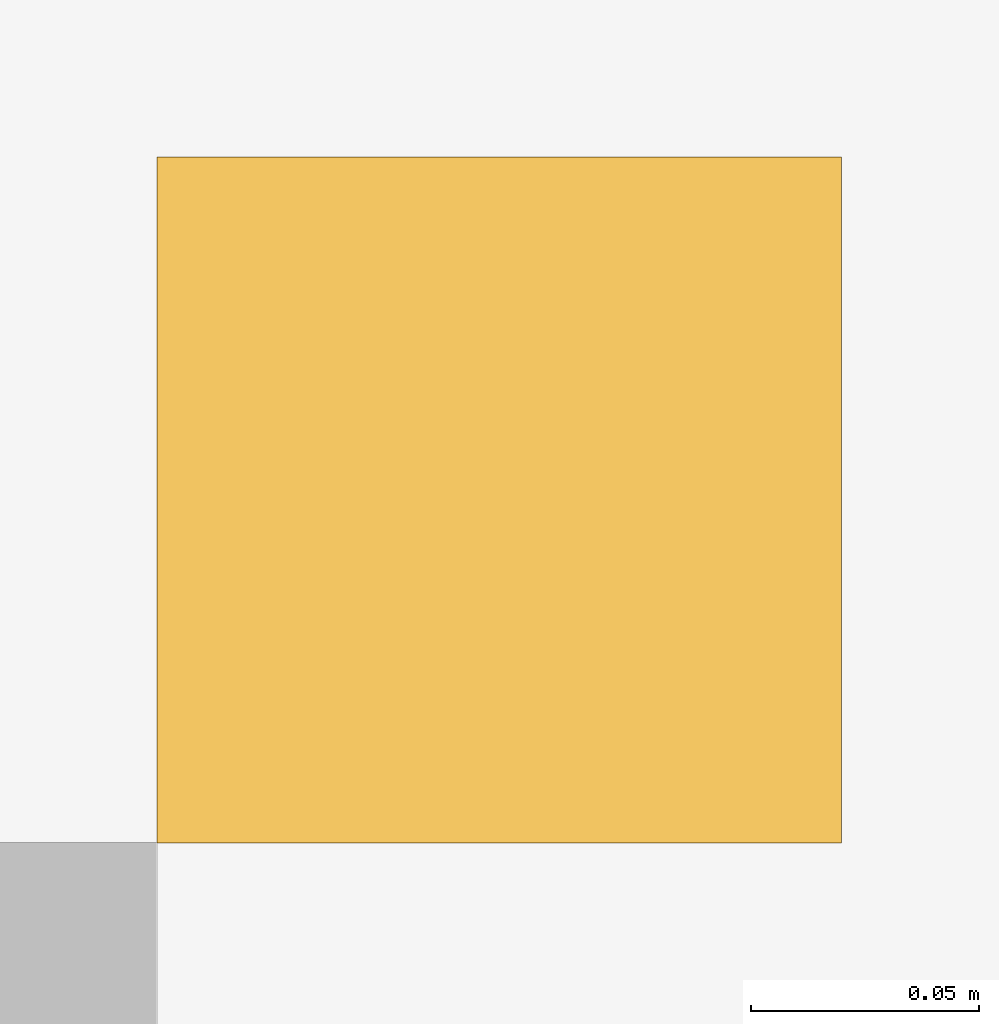
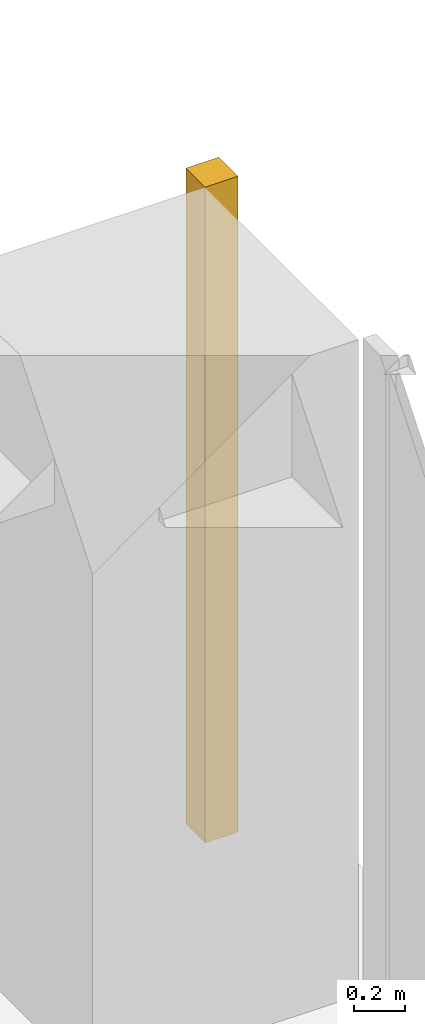
# One storey, part 18 of 18: 1 covering.
"""IFC4 building model written with IfcOpenShell, lengths in metres."""

from ifc_helpers import new_model, si_unit, direction, frame, origin, place, context, subcontext, project, spatial, polyline, outline, extrude, material, type_object, element, save


model = new_model("IFC4")

# Units and contexts
model_context = context("Model", 3, precision=1e-05, world=origin(), true_north=direction((0.0, 1.0)))
body_context = subcontext(model_context, "Body", "Model", "MODEL_VIEW")
ifc_project = project(units=[si_unit("LENGTHUNIT", "METRE"), si_unit("AREAUNIT", "SQUARE_METRE"), si_unit("VOLUMEUNIT", "CUBIC_METRE"), si_unit("PLANEANGLEUNIT", "RADIAN"), si_unit("MASSUNIT", "GRAM", prefix="KILO")], contexts=[model_context])

# Site, building, storey
site_placement = place(None, origin())
site = spatial("IfcSite", under=ifc_project, at=site_placement, CompositionType="ELEMENT")
building_placement = place(site_placement, origin())
building = spatial("IfcBuilding", under=site, at=building_placement, Name="Vermilion Ogive Tower", CompositionType="ELEMENT")
storey_placement = place(building_placement, frame((0.0, 0.0, 108.0)))
storey = spatial("IfcBuildingStorey", under=building, at=storey_placement, Name="L27", CompositionType="ELEMENT", Elevation=108.0)

# Covering
ifc_material = material(Name="Stone cladding", Category="masonry")
covering_type = type_object("IfcCoveringType", Name="Stone pier", PredefinedType="CLADDING", material=ifc_material)
covering_placement = place(storey_placement, origin())
element("IfcCovering", 1, at=covering_placement, inside=storey, type_object=covering_type, Name="Stone corner pier EE1", PredefinedType="CLADDING", context=body_context, shape_type="SweptSolid", body=[
    extrude(outline(polyline([(25.949951171875, 13.199951171875), (25.800048828125, 13.199951171875), (25.800048828125, 13.35009765625), (25.949951171875, 13.35009765625), (25.949951171875, 13.199951171875)])), origin(), (0.0, 0.0, 1.0), 3.1298828125),
])

save(model, "model.ifc")
